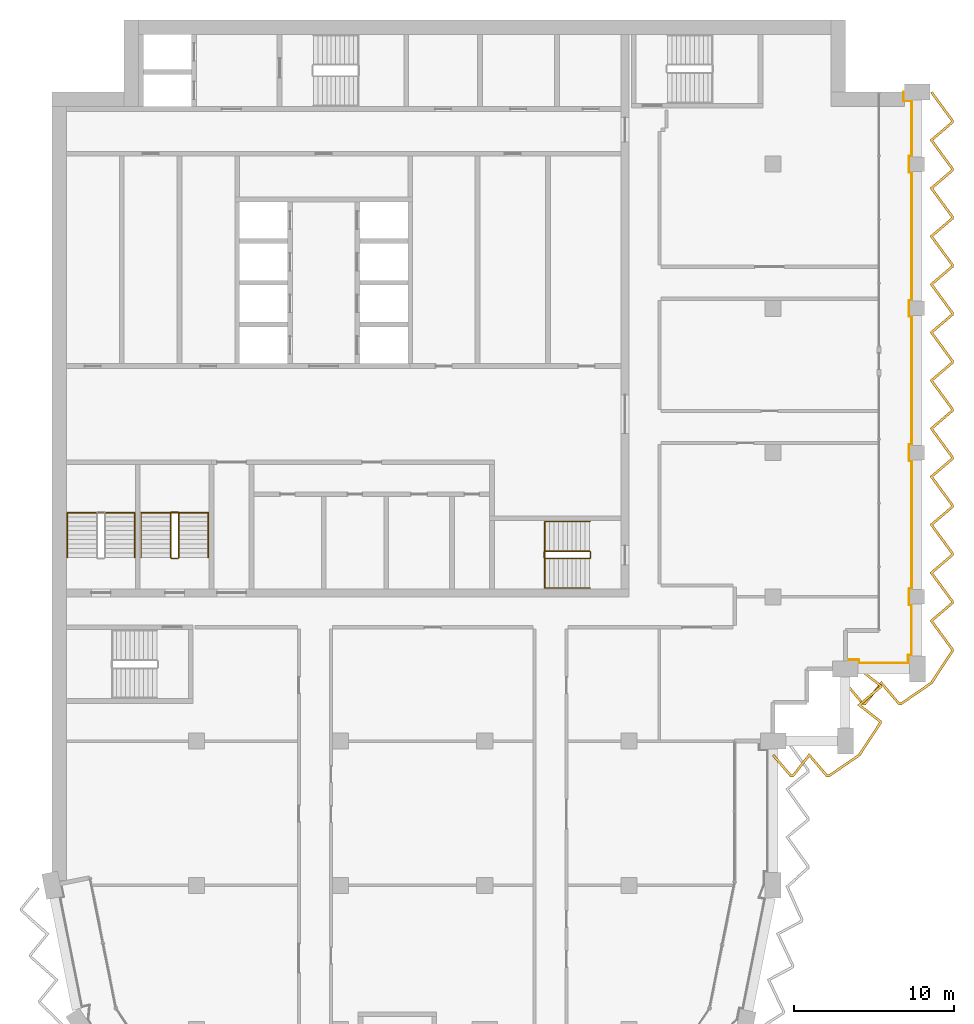
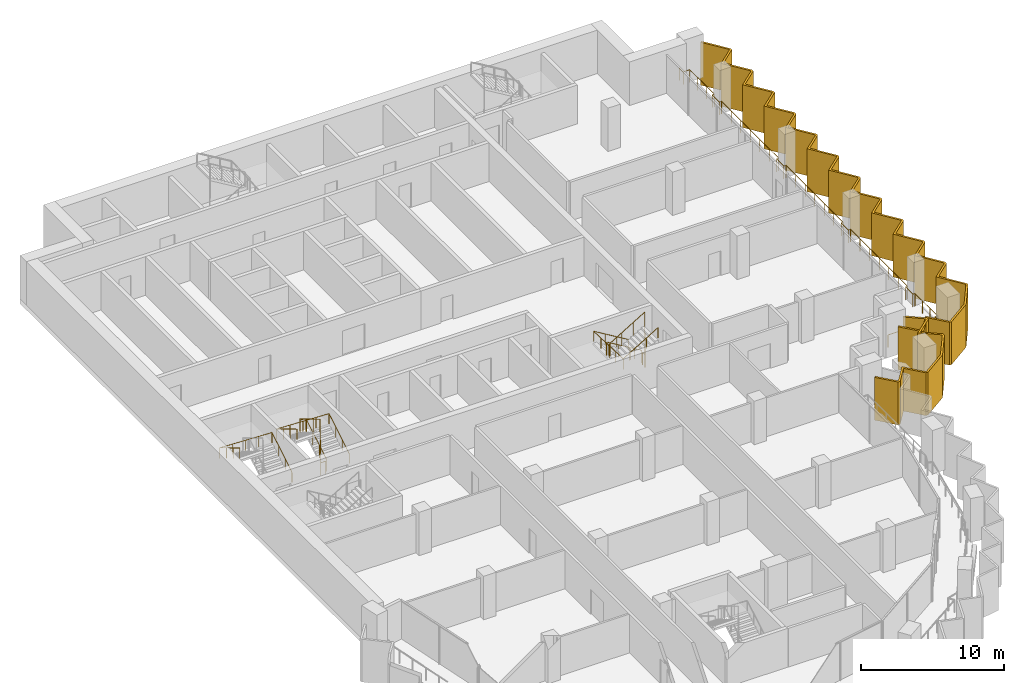
# One storey, part 15 of 16: 6 railings, 2 shading devices.
"""IFC4 building model written with IfcOpenShell, lengths in metres."""

import ifcopenshell
import ifcopenshell.guid

model = None  # the IFC model being written
_history = None  # IfcOwnerHistory: only IFC2X3 demands one
_inside = {}  # id of a spatial element -> (the spatial element, [elements in it])
_under = {}  # id of a project, library or spatial element -> (it, [spatial elements below it])
_declared = {}  # id of a project -> (the project, [libraries it declares])
_typed = {}  # id of a type object -> (the type object, [elements of that type])
_made_of = {}  # id of a material, layer set ... -> (it, [elements and type objects made of it])


def new_model(schema):
    """Start an empty IFC model of exactly this schema.

    Asked for "IFC4X3", IfcOpenShell would pick the latest addendum, in which some entities
    have other attributes; the version numbers below select the first issue.
    IFC2X3 requires an IfcOwnerHistory on every rooted entity: one is made here for all.
    """
    global model, _history
    if schema == "IFC4X3":
        model = ifcopenshell.file(schema_version=(4, 3, 0, 0))
    else:
        model = ifcopenshell.file(schema=schema)
    _inside.clear()
    _under.clear()
    _declared.clear()
    _typed.clear()
    _made_of.clear()
    _history = None
    if model.schema == "IFC2X3":
        org = make("IfcOrganization", Name="unknown")
        user = make(
            "IfcPersonAndOrganization",
            ThePerson=make("IfcPerson", FamilyName="unknown"),
            TheOrganization=org,
        )
        app = make(
            "IfcApplication",
            ApplicationDeveloper=org,
            Version="unknown",
            ApplicationFullName="unknown",
            ApplicationIdentifier="unknown",
        )
        _history = make(
            "IfcOwnerHistory",
            OwningUser=user,
            OwningApplication=app,
            ChangeAction="ADDED",
            CreationDate=0,
        )
    return model


def make(cls, **values):
    """One entity of the class cls with the attributes given. An attribute that is None is left unset."""
    return model.create_entity(
        cls, **{name: value for name, value in values.items() if value is not None}
    )


def rooted(cls, **values):
    """An entity with a GlobalId (a new one), such as an element, a storey or a relation."""
    return make(cls, GlobalId=ifcopenshell.guid.new(), OwnerHistory=_history, **values)


def si_unit(unit_type, name, prefix=None):
    """IfcSIUnit, for example si_unit("LENGTHUNIT", "METRE", prefix="MILLI")."""
    return make("IfcSIUnit", UnitType=unit_type, Prefix=prefix, Name=name)


def assignment(units):
    """IfcUnitAssignment: the units of a project."""
    return None if units is None else make("IfcUnitAssignment", Units=units)


def point(xyz):
    """IfcCartesianPoint."""
    return None if xyz is None else make("IfcCartesianPoint", Coordinates=xyz)


def direction(xyz):
    """IfcDirection."""
    return None if xyz is None else make("IfcDirection", DirectionRatios=xyz)


def frame(location, z_axis=None, x_axis=None):
    """IfcAxis2Placement3D, a coordinate frame: its origin and axes. An axis left out is left unset."""
    return make(
        "IfcAxis2Placement3D",
        Location=point(location),
        Axis=direction(z_axis),
        RefDirection=direction(x_axis),
    )


def frame_2d(location, x_axis=None):
    """IfcAxis2Placement2D, a coordinate frame in the plane: its origin and x axis."""
    return make(
        "IfcAxis2Placement2D", Location=point(location), RefDirection=direction(x_axis)
    )


def origin():
    """The frame at (0, 0, 0) with its axes left unset."""
    return frame((0.0, 0.0, 0.0))


def origin_2d():
    """The frame at (0, 0) in the plane with its x axis left unset."""
    return frame_2d((0.0, 0.0))


def place(relative_to, where):
    """IfcLocalPlacement: puts the frame where relative to a parent placement (None: the world)."""
    return make(
        "IfcLocalPlacement", PlacementRelTo=relative_to, RelativePlacement=where
    )


def context(
    kind, dimensions, precision=None, world=None, true_north=None, identifier=None
):
    """IfcGeometricRepresentationContext, for example the 3D "Model" context."""
    return make(
        "IfcGeometricRepresentationContext",
        ContextIdentifier=identifier,
        ContextType=kind,
        CoordinateSpaceDimension=dimensions,
        Precision=precision,
        WorldCoordinateSystem=world,
        TrueNorth=true_north,
    )


def subcontext(parent, identifier, kind, view, scale=None):
    """IfcGeometricRepresentationSubContext, for example "Body" below "Model"."""
    return make(
        "IfcGeometricRepresentationSubContext",
        ContextIdentifier=identifier,
        ContextType=kind,
        ParentContext=parent,
        TargetScale=scale,
        TargetView=view,
    )


def project(units=None, contexts=None):
    """IfcProject with its units and contexts."""
    return rooted(
        "IfcProject",
        Name="project",
        RepresentationContexts=contexts,
        UnitsInContext=assignment(units),
    )


def spatial(cls, under=None, at=None, **own):
    """A site, building, storey or space (cls), placed at a placement, below another one or the project."""
    s = rooted(cls, ObjectPlacement=at, **own)
    if under is not None:
        _under.setdefault(under.id(), (under, []))[1].append(s)
    return s


def polyline(points):
    """IfcPolyline through the points."""
    return make("IfcPolyline", Points=[point(p) for p in points])


def profile(cls, at=None, kind="AREA", **sizes):
    """A parametric profile (cls). Its sizes go by their IFC names, for example OverallWidth=200.0."""
    return make(cls, ProfileType=kind, Position=at, **sizes)


def circle(**sizes):
    """IfcCircleProfileDef."""
    return profile("IfcCircleProfileDef", **sizes)


def outline(outer, holes=None, kind="AREA"):
    """IfcArbitraryClosedProfileDef: a profile drawn as a closed curve; with holes, ...WithVoids."""
    if holes is None:
        return make("IfcArbitraryClosedProfileDef", ProfileType=kind, OuterCurve=outer)
    return make(
        "IfcArbitraryProfileDefWithVoids",
        ProfileType=kind,
        OuterCurve=outer,
        InnerCurves=holes,
    )


def extrude(swept, where, along, depth):
    """IfcExtrudedAreaSolid: the profile swept, set in the frame where, extruded along a direction by depth."""
    return make(
        "IfcExtrudedAreaSolid",
        SweptArea=swept,
        Position=where,
        ExtrudedDirection=direction(along),
        Depth=depth,
    )


def shape(context_of_items, identifier, shape_type, items):
    """IfcShapeRepresentation: the items that make up one representation, for example the "Body"."""
    return make(
        "IfcShapeRepresentation",
        ContextOfItems=context_of_items,
        RepresentationIdentifier=identifier,
        RepresentationType=shape_type,
        Items=items,
    )


def material(Name=None, Category=None):
    """IfcMaterial."""
    return make("IfcMaterial", Name=Name, Category=Category)


def layer(
    of_material, thickness, ventilated=None, Name=None, Category=None, Priority=None
):
    """IfcMaterialLayer: one layer of a wall or slab, of a material (None: an air gap)."""
    return make(
        "IfcMaterialLayer",
        Material=of_material,
        LayerThickness=thickness,
        IsVentilated=ventilated,
        Name=Name,
        Category=Category,
        Priority=Priority,
    )


def layer_set(layers, Name=None):
    """IfcMaterialLayerSet."""
    return make("IfcMaterialLayerSet", MaterialLayers=layers, LayerSetName=Name)


def made_of(thing, what):
    """Note that an element or type object is made of a material, layer set ...; save() writes the relation."""
    if what is not None:
        _made_of.setdefault(what.id(), (what, []))[1].append(thing)
    return thing


def type_object(cls, material=None, **own):
    """A type object (cls), such as IfcWallType, which elements share."""
    return made_of(rooted(cls, **own), material)


def element(
    cls,
    number,
    at=None,
    inside=None,
    cuts=None,
    type_object=None,
    material=None,
    context=None,
    identifier="Body",
    shape_type=None,
    held_by="IfcProductDefinitionShape",
    body=None,
    shapes=None,
    **own,
):
    """One element of the class cls, such as IfcWall. Its Tag is "e" and its number.

    at: its placement. inside: the storey or other place that contains it. cuts: it is an
    opening in that element (IfcRelVoidsElement). A single representation is given by context,
    identifier, shape_type and body (its items); several are given by shapes. held_by: the class
    of the entity that holds the representations. save() writes the other relations.
    """
    e = rooted(cls, Tag="e%d" % number, ObjectPlacement=at, **own)
    if body is not None:
        shapes = [shape(context, identifier, shape_type, body)]
    if shapes is not None:
        e.Representation = make(held_by, Representations=shapes)
    if inside is not None:
        _inside.setdefault(inside.id(), (inside, []))[1].append(e)
    if cuts is not None:
        rooted(
            "IfcRelVoidsElement", RelatingBuildingElement=cuts, RelatedOpeningElement=e
        )
    if type_object is not None:
        _typed.setdefault(type_object.id(), (type_object, []))[1].append(e)
    return made_of(e, material)


def aggregate(whole, parts):
    """IfcRelAggregates: a whole, such as a stair, and the parts it consists of."""
    return rooted("IfcRelAggregates", RelatingObject=whole, RelatedObjects=parts)


def save(model, path):
    """Write the relations noted so far, then the file.

    IfcRelAggregates (storeys below a building ...), IfcRelContainedInSpatialStructure (elements
    in a storey), IfcRelDefinesByType, IfcRelAssociatesMaterial and IfcRelDeclares: one each for
    every whole, place, type object, material and project.
    """
    for whole, parts in _under.values():
        aggregate(whole, parts)
    for where, things in _inside.values():
        rooted(
            "IfcRelContainedInSpatialStructure",
            RelatedElements=things,
            RelatingStructure=where,
        )
    for kind, things in _typed.values():
        rooted("IfcRelDefinesByType", RelatedObjects=things, RelatingType=kind)
    for what, things in _made_of.values():
        rooted("IfcRelAssociatesMaterial", RelatedObjects=things, RelatingMaterial=what)
    for by, libraries in _declared.values():
        rooted("IfcRelDeclares", RelatingContext=by, RelatedDefinitions=libraries)
    model.write(path)


model = new_model("IFC4")

# Units and contexts
model_context = context("Model", 3, precision=1e-05, world=origin(), true_north=direction((0.0, 1.0)))
body_context = subcontext(model_context, "Body", "Model", "MODEL_VIEW")
ifc_project = project(units=[si_unit("LENGTHUNIT", "METRE"), si_unit("AREAUNIT", "SQUARE_METRE"), si_unit("VOLUMEUNIT", "CUBIC_METRE"), si_unit("PLANEANGLEUNIT", "RADIAN"), si_unit("MASSUNIT", "GRAM", prefix="KILO")], contexts=[model_context])

# Site, building, storey
site_placement = place(None, origin())
site = spatial("IfcSite", under=ifc_project, at=site_placement, CompositionType="ELEMENT")
building_placement = place(site_placement, origin())
building = spatial("IfcBuilding", under=site, at=building_placement, Name="Hunhe Ridgeline Campus", CompositionType="ELEMENT")
storey_placement = place(building_placement, frame((0.0, 0.0, 250.300048828125)))
storey = spatial("IfcBuildingStorey", under=building, at=storey_placement, Name="L64", CompositionType="ELEMENT", Elevation=250.300048828125)

# Railing
ifc_material_1 = material(Name="Steel Q355", Category="steel")
railing_type_1 = type_object("IfcRailingType", Name="Loggia guard 1100 Steel Q355", PredefinedType="GUARDRAIL", material=ifc_material_1)
railing_1_placement = place(storey_placement, frame((49.5, 59.070068359375, 0.0)))
element("IfcRailing", 1, at=railing_1_placement, inside=storey, type_object=railing_type_1, Name="Loggia guard 2", PredefinedType="GUARDRAIL", context=body_context, shape_type="SweptSolid", body=[
    extrude(circle(Radius=0.02392578125, at=origin_2d()), frame((0.0, 0.0, 1.076171875), z_axis=(1.0, 0.0, 0.0), x_axis=(0.0, 1.0, 0.0)), (0.0, 0.0, 1.0), 0.85009765625),
    extrude(circle(Radius=0.02392578125, at=origin_2d()), frame((0.85009765625, 0.0, 1.076171875), z_axis=(0.0, -1.0, 0.0), x_axis=(1.0, 0.0, 0.0)), (0.0, 0.0, 1.0), 0.219970703125),
    extrude(circle(Radius=0.02392578125, at=origin_2d()), frame((0.85009765625, -0.219970703125, 1.076171875), z_axis=(1.0, 0.0, 0.0), x_axis=(0.0, 1.0, 0.0)), (0.0, 0.0, 1.0), 3.099853515625),
    extrude(circle(Radius=0.02392578125, at=origin_2d()), frame((3.949951171875, -0.219970703125, 1.076171875), z_axis=(0.0, 1.0, 0.0), x_axis=(-1.0, 0.0, 0.0)), (0.0, 0.0, 1.0), 0.52001953125),
    extrude(circle(Radius=0.02392578125, at=origin_2d()), frame((3.949951171875, 0.300048828125, 1.076171875), z_axis=(-0.066572895244, -0.99778156408, 0.0), x_axis=(0.99778156408, -0.066572895244, 0.0)), (0.0, 0.0, 1.0), 0.30078125),
    extrude(circle(Radius=0.02392578125, at=origin_2d()), frame((3.929931640625, 0.0, 1.076171875), z_axis=(0.0, 1.0, 0.0), x_axis=(-1.0, 0.0, 0.0)), (0.0, 0.0, 1.0), 0.280029296875),
    extrude(circle(Radius=0.02392578125, at=origin_2d()), frame((3.929931640625, 0.280029296875, 1.076171875), z_axis=(1.0, 0.0, 0.0), x_axis=(0.0, 1.0, 0.0)), (0.0, 0.0, 1.0), 0.219970703125),
    extrude(circle(Radius=0.02392578125, at=origin_2d()), frame((4.14990234375, 0.280029296875, 1.076171875), z_axis=(0.0, 1.0, 0.0), x_axis=(-1.0, 0.0, 0.0)), (0.0, 0.0, 1.0), 3.14990234375),
    extrude(circle(Radius=0.02392578125, at=origin_2d()), frame((4.14990234375, 3.429931640625, 1.076171875), z_axis=(-1.0, 0.0, 0.0), x_axis=(0.0, -1.0, 0.0)), (0.0, 0.0, 1.0), 0.169921875),
    extrude(circle(Radius=0.02392578125, at=origin_2d()), frame((3.97998046875, 3.429931640625, 1.076171875), z_axis=(0.0, 1.0, 0.0), x_axis=(-1.0, 0.0, 0.0)), (0.0, 0.0, 1.0), 1.0),
    extrude(circle(Radius=0.02392578125, at=origin_2d()), frame((3.97998046875, 4.429931640625, 1.076171875), z_axis=(1.0, 0.0, 0.0), x_axis=(0.0, 1.0, 0.0)), (0.0, 0.0, 1.0), 0.169921875),
    extrude(circle(Radius=0.02392578125, at=origin_2d()), frame((4.14990234375, 4.429931640625, 1.076171875), z_axis=(0.0, 1.0, 0.0), x_axis=(-1.0, 0.0, 0.0)), (0.0, 0.0, 1.0), 8.0),
    extrude(circle(Radius=0.02392578125, at=origin_2d()), frame((4.14990234375, 12.429931640625, 1.076171875), z_axis=(-1.0, 0.0, 0.0), x_axis=(0.0, -1.0, 0.0)), (0.0, 0.0, 1.0), 0.169921875),
    extrude(circle(Radius=0.02392578125, at=origin_2d()), frame((3.97998046875, 12.429931640625, 1.076171875), z_axis=(0.0, 1.0, 0.0), x_axis=(-1.0, 0.0, 0.0)), (0.0, 0.0, 1.0), 1.0),
    extrude(circle(Radius=0.02392578125, at=origin_2d()), frame((3.97998046875, 13.429931640625, 1.076171875), z_axis=(1.0, 0.0, 0.0), x_axis=(0.0, 1.0, 0.0)), (0.0, 0.0, 1.0), 0.169921875),
    extrude(circle(Radius=0.02392578125, at=origin_2d()), frame((4.14990234375, 13.429931640625, 1.076171875), z_axis=(0.0, 1.0, 0.0), x_axis=(-1.0, 0.0, 0.0)), (0.0, 0.0, 1.0), 8.0),
    extrude(circle(Radius=0.02392578125, at=origin_2d()), frame((4.14990234375, 21.429931640625, 1.076171875), z_axis=(-1.0, 0.0, 0.0), x_axis=(0.0, -1.0, 0.0)), (0.0, 0.0, 1.0), 0.169921875),
    extrude(circle(Radius=0.02392578125, at=origin_2d()), frame((3.97998046875, 21.429931640625, 1.076171875), z_axis=(0.0, 1.0, 0.0), x_axis=(-1.0, 0.0, 0.0)), (0.0, 0.0, 1.0), 1.0),
    extrude(circle(Radius=0.02392578125, at=origin_2d()), frame((3.97998046875, 22.429931640625, 1.076171875), z_axis=(1.0, 0.0, 0.0), x_axis=(0.0, 1.0, 0.0)), (0.0, 0.0, 1.0), 0.169921875),
    extrude(circle(Radius=0.02392578125, at=origin_2d()), frame((4.14990234375, 22.429931640625, 1.076171875), z_axis=(0.0, 1.0, 0.0), x_axis=(-1.0, 0.0, 0.0)), (0.0, 0.0, 1.0), 8.0),
    extrude(circle(Radius=0.02392578125, at=origin_2d()), frame((4.14990234375, 30.429931640625, 1.076171875), z_axis=(-1.0, 0.0, 0.0), x_axis=(0.0, -1.0, 0.0)), (0.0, 0.0, 1.0), 0.169921875),
    extrude(circle(Radius=0.02392578125, at=origin_2d()), frame((3.97998046875, 30.429931640625, 1.076171875), z_axis=(0.0, 1.0, 0.0), x_axis=(-1.0, 0.0, 0.0)), (0.0, 0.0, 1.0), 1.0),
    extrude(circle(Radius=0.02392578125, at=origin_2d()), frame((3.97998046875, 31.429931640625, 1.076171875), z_axis=(1.0, 0.0, 0.0), x_axis=(0.0, 1.0, 0.0)), (0.0, 0.0, 1.0), 0.169921875),
    extrude(circle(Radius=0.02392578125, at=origin_2d()), frame((4.14990234375, 31.429931640625, 1.076171875), z_axis=(0.0, 1.0, 0.0), x_axis=(-1.0, 0.0, 0.0)), (0.0, 0.0, 1.0), 3.449951171875),
    extrude(circle(Radius=0.02392578125, at=origin_2d()), frame((4.14990234375, 34.8798828125, 1.076171875), z_axis=(-1.0, 0.0, 0.0), x_axis=(0.0, -1.0, 0.0)), (0.0, 0.0, 1.0), 0.52001953125),
    extrude(circle(Radius=0.02392578125, at=origin_2d()), frame((3.6298828125, 34.8798828125, 1.076171875), z_axis=(0.0, 1.0, 0.0), x_axis=(-1.0, 0.0, 0.0)), (0.0, 0.0, 1.0), 0.550048828125),
    extrude(circle(Radius=0.02099609375, at=origin_2d()), origin(), (0.0, 0.0, 1.0), 1.052001953125),
    extrude(circle(Radius=0.02099609375, at=origin_2d()), frame((0.85009765625, 0.0, 0.0)), (0.0, 0.0, 1.0), 1.052001953125),
    extrude(circle(Radius=0.02099609375, at=origin_2d()), frame((0.85009765625, -0.219970703125, 0.0)), (0.0, 0.0, 1.0), 1.052001953125),
    extrude(circle(Radius=0.02099609375, at=origin_2d()), frame((1.88330078125, -0.219970703125, 0.0)), (0.0, 0.0, 1.0), 1.052001953125),
    extrude(circle(Radius=0.02099609375, at=origin_2d()), frame((2.916748046875, -0.219970703125, 0.0)), (0.0, 0.0, 1.0), 1.052001953125),
    extrude(circle(Radius=0.02099609375, at=origin_2d()), frame((3.949951171875, -0.219970703125, 0.0)), (0.0, 0.0, 1.0), 1.052001953125),
    extrude(circle(Radius=0.02099609375, at=origin_2d()), frame((3.949951171875, 0.300048828125, 0.0)), (0.0, 0.0, 1.0), 1.052001953125),
    extrude(circle(Radius=0.02099609375, at=origin_2d()), frame((3.929931640625, 0.0, 0.0)), (0.0, 0.0, 1.0), 1.052001953125),
    extrude(circle(Radius=0.02099609375, at=origin_2d()), frame((3.929931640625, 0.280029296875, 0.0)), (0.0, 0.0, 1.0), 1.052001953125),
    extrude(circle(Radius=0.02099609375, at=origin_2d()), frame((4.14990234375, 0.280029296875, 0.0)), (0.0, 0.0, 1.0), 1.052001953125),
    extrude(circle(Radius=0.02099609375, at=origin_2d()), frame((4.14990234375, 1.330078125, 0.0)), (0.0, 0.0, 1.0), 1.052001953125),
    extrude(circle(Radius=0.02099609375, at=origin_2d()), frame((4.14990234375, 2.3798828125, 0.0)), (0.0, 0.0, 1.0), 1.052001953125),
    extrude(circle(Radius=0.02099609375, at=origin_2d()), frame((4.14990234375, 3.429931640625, 0.0)), (0.0, 0.0, 1.0), 1.052001953125),
    extrude(circle(Radius=0.02099609375, at=origin_2d()), frame((3.97998046875, 3.429931640625, 0.0)), (0.0, 0.0, 1.0), 1.052001953125),
    extrude(circle(Radius=0.02099609375, at=origin_2d()), frame((3.97998046875, 4.429931640625, 0.0)), (0.0, 0.0, 1.0), 1.052001953125),
    extrude(circle(Radius=0.02099609375, at=origin_2d()), frame((4.14990234375, 4.429931640625, 0.0)), (0.0, 0.0, 1.0), 1.052001953125),
    extrude(circle(Radius=0.02099609375, at=origin_2d()), frame((4.14990234375, 5.76318359375, 0.0)), (0.0, 0.0, 1.0), 1.052001953125),
    extrude(circle(Radius=0.02099609375, at=origin_2d()), frame((4.14990234375, 7.0966796875, 0.0)), (0.0, 0.0, 1.0), 1.052001953125),
    extrude(circle(Radius=0.02099609375, at=origin_2d()), frame((4.14990234375, 8.429931640625, 0.0)), (0.0, 0.0, 1.0), 1.052001953125),
    extrude(circle(Radius=0.02099609375, at=origin_2d()), frame((4.14990234375, 9.76318359375, 0.0)), (0.0, 0.0, 1.0), 1.052001953125),
    extrude(circle(Radius=0.02099609375, at=origin_2d()), frame((4.14990234375, 11.0966796875, 0.0)), (0.0, 0.0, 1.0), 1.052001953125),
    extrude(circle(Radius=0.02099609375, at=origin_2d()), frame((4.14990234375, 12.429931640625, 0.0)), (0.0, 0.0, 1.0), 1.052001953125),
    extrude(circle(Radius=0.02099609375, at=origin_2d()), frame((3.97998046875, 12.429931640625, 0.0)), (0.0, 0.0, 1.0), 1.052001953125),
    extrude(circle(Radius=0.02099609375, at=origin_2d()), frame((3.97998046875, 13.429931640625, 0.0)), (0.0, 0.0, 1.0), 1.052001953125),
    extrude(circle(Radius=0.02099609375, at=origin_2d()), frame((4.14990234375, 13.429931640625, 0.0)), (0.0, 0.0, 1.0), 1.052001953125),
    extrude(circle(Radius=0.02099609375, at=origin_2d()), frame((4.14990234375, 14.76318359375, 0.0)), (0.0, 0.0, 1.0), 1.052001953125),
    extrude(circle(Radius=0.02099609375, at=origin_2d()), frame((4.14990234375, 16.0966796875, 0.0)), (0.0, 0.0, 1.0), 1.052001953125),
    extrude(circle(Radius=0.02099609375, at=origin_2d()), frame((4.14990234375, 17.429931640625, 0.0)), (0.0, 0.0, 1.0), 1.052001953125),
    extrude(circle(Radius=0.02099609375, at=origin_2d()), frame((4.14990234375, 18.76318359375, 0.0)), (0.0, 0.0, 1.0), 1.052001953125),
    extrude(circle(Radius=0.02099609375, at=origin_2d()), frame((4.14990234375, 20.0966796875, 0.0)), (0.0, 0.0, 1.0), 1.052001953125),
    extrude(circle(Radius=0.02099609375, at=origin_2d()), frame((4.14990234375, 21.429931640625, 0.0)), (0.0, 0.0, 1.0), 1.052001953125),
    extrude(circle(Radius=0.02099609375, at=origin_2d()), frame((3.97998046875, 21.429931640625, 0.0)), (0.0, 0.0, 1.0), 1.052001953125),
    extrude(circle(Radius=0.02099609375, at=origin_2d()), frame((3.97998046875, 22.429931640625, 0.0)), (0.0, 0.0, 1.0), 1.052001953125),
    extrude(circle(Radius=0.02099609375, at=origin_2d()), frame((4.14990234375, 22.429931640625, 0.0)), (0.0, 0.0, 1.0), 1.052001953125),
    extrude(circle(Radius=0.02099609375, at=origin_2d()), frame((4.14990234375, 23.76318359375, 0.0)), (0.0, 0.0, 1.0), 1.052001953125),
    extrude(circle(Radius=0.02099609375, at=origin_2d()), frame((4.14990234375, 25.0966796875, 0.0)), (0.0, 0.0, 1.0), 1.052001953125),
    extrude(circle(Radius=0.02099609375, at=origin_2d()), frame((4.14990234375, 26.429931640625, 0.0)), (0.0, 0.0, 1.0), 1.052001953125),
    extrude(circle(Radius=0.02099609375, at=origin_2d()), frame((4.14990234375, 27.76318359375, 0.0)), (0.0, 0.0, 1.0), 1.052001953125),
    extrude(circle(Radius=0.02099609375, at=origin_2d()), frame((4.14990234375, 29.0966796875, 0.0)), (0.0, 0.0, 1.0), 1.052001953125),
    extrude(circle(Radius=0.02099609375, at=origin_2d()), frame((4.14990234375, 30.429931640625, 0.0)), (0.0, 0.0, 1.0), 1.052001953125),
    extrude(circle(Radius=0.02099609375, at=origin_2d()), frame((3.97998046875, 30.429931640625, 0.0)), (0.0, 0.0, 1.0), 1.052001953125),
    extrude(circle(Radius=0.02099609375, at=origin_2d()), frame((3.97998046875, 31.429931640625, 0.0)), (0.0, 0.0, 1.0), 1.052001953125),
    extrude(circle(Radius=0.02099609375, at=origin_2d()), frame((4.14990234375, 31.429931640625, 0.0)), (0.0, 0.0, 1.0), 1.052001953125),
    extrude(circle(Radius=0.02099609375, at=origin_2d()), frame((4.14990234375, 32.579833984375, 0.0)), (0.0, 0.0, 1.0), 1.052001953125),
    extrude(circle(Radius=0.02099609375, at=origin_2d()), frame((4.14990234375, 33.72998046875, 0.0)), (0.0, 0.0, 1.0), 1.052001953125),
    extrude(circle(Radius=0.02099609375, at=origin_2d()), frame((4.14990234375, 34.8798828125, 0.0)), (0.0, 0.0, 1.0), 1.052001953125),
    extrude(circle(Radius=0.02099609375, at=origin_2d()), frame((3.6298828125, 34.8798828125, 0.0)), (0.0, 0.0, 1.0), 1.052001953125),
    extrude(circle(Radius=0.02099609375, at=origin_2d()), frame((3.6298828125, 35.429931640625, 0.0)), (0.0, 0.0, 1.0), 1.052001953125),
])

# Shading devices
ifc_material_2 = material(Name="Concrete C50", Category="concrete")
ifc_layer = layer(ifc_material_2, 0.14990234375)
ifc_layer_set = layer_set([ifc_layer], Name="Sawtooth concrete fin 150 Concrete C50")
shading_device_type = type_object("IfcShadingDeviceType", Name="Sawtooth concrete fin 150 Concrete C50", PredefinedType="USERDEFINED", material=ifc_layer_set)
shading_device_1_placement = place(storey_placement, frame((0.0, 0.0, -0.949951171875)))
element("IfcShadingDevice", 2, at=shading_device_1_placement, inside=storey, type_object=shading_device_type, Name="Concrete fin screen 2", ObjectType="FIN", PredefinedType="USERDEFINED", context=body_context, shape_type="SweptSolid", body=[
    extrude(outline(polyline([(45.05712890625, 53.173583984375), (44.94287109375, 53.076416015625), (46.07470703125, 51.75), (46.265869140625, 51.75), (47.25244140625, 53.006591796875), (48.32470703125, 51.75), (48.502685546875, 51.75), (50.4296875, 53.071533203125), (51.75, 55.0869140625), (51.75, 55.265869140625), (50.493408203125, 56.25244140625), (51.75, 57.32470703125), (51.75, 57.515869140625), (50.42138671875, 58.55908203125), (50.32861328125, 58.44091796875), (51.60009765625, 57.44287109375), (51.60009765625, 57.393798828125), (50.256591796875, 56.24755859375), (51.60009765625, 55.19287109375), (51.60009765625, 55.131591796875), (50.3203125, 53.178466796875), (48.4560546875, 51.89990234375), (48.393798828125, 51.89990234375), (47.24755859375, 53.243408203125), (46.19287109375, 51.89990234375), (46.143798828125, 51.89990234375), (45.05712890625, 53.173583984375)])), origin(), (0.0, 0.0, 1.0), 3.64990234375),
])
shading_device_2_placement = place(storey_placement, frame((0.0, 0.0, -0.949951171875)))
element("IfcShadingDevice", 3, at=shading_device_2_placement, inside=storey, type_object=shading_device_type, Name="Concrete fin screen 3", ObjectType="FIN", PredefinedType="USERDEFINED", context=body_context, shape_type="SweptSolid", body=[
    extrude(outline(polyline([(49.55712890625, 57.673583984375), (49.44287109375, 57.576416015625), (50.57470703125, 56.25), (50.765869140625, 56.25), (51.75244140625, 57.506591796875), (52.82470703125, 56.25), (53.002685546875, 56.25), (54.9296875, 57.571533203125), (56.25, 59.5869140625), (56.25, 59.75390625), (54.976806640625, 61.48828125), (56.25, 62.57470703125), (56.25, 62.75390625), (54.976806640625, 64.48828125), (56.25, 65.57470703125), (56.25, 65.75390625), (54.976806640625, 67.48828125), (56.25, 68.57470703125), (56.25, 68.75390625), (54.976806640625, 70.48828125), (56.25, 71.57470703125), (56.25, 71.75390625), (54.976806640625, 73.48828125), (56.25, 74.57470703125), (56.25, 74.75390625), (54.976806640625, 76.48828125), (56.25, 77.57470703125), (56.25, 77.75390625), (54.976806640625, 79.48828125), (56.25, 80.57470703125), (56.25, 80.75390625), (54.976806640625, 82.48828125), (56.25, 83.57470703125), (56.25, 83.75390625), (54.976806640625, 85.48828125), (56.25, 86.57470703125), (56.25, 86.75390625), (54.976806640625, 88.48828125), (56.25, 89.57470703125), (56.25, 89.75390625), (54.976806640625, 91.48828125), (56.25, 92.57470703125), (56.25, 92.75390625), (54.935546875, 94.54443359375), (54.814453125, 94.45556640625), (56.10009765625, 92.704833984375), (56.10009765625, 92.643798828125), (54.773193359375, 91.51171875), (56.10009765625, 89.704833984375), (56.10009765625, 89.643798828125), (54.773193359375, 88.51171875), (56.10009765625, 86.704833984375), (56.10009765625, 86.643798828125), (54.773193359375, 85.51171875), (56.10009765625, 83.704833984375), (56.10009765625, 83.643798828125), (54.773193359375, 82.51171875), (56.10009765625, 80.704833984375), (56.10009765625, 80.643798828125), (54.773193359375, 79.51171875), (56.10009765625, 77.704833984375), (56.10009765625, 77.643798828125), (54.773193359375, 76.51171875), (56.10009765625, 74.704833984375), (56.10009765625, 74.643798828125), (54.773193359375, 73.51171875), (56.10009765625, 71.704833984375), (56.10009765625, 71.643798828125), (54.773193359375, 70.51171875), (56.10009765625, 68.704833984375), (56.10009765625, 68.643798828125), (54.773193359375, 67.51171875), (56.10009765625, 65.704833984375), (56.10009765625, 65.643798828125), (54.773193359375, 64.51171875), (56.10009765625, 62.704833984375), (56.10009765625, 62.643798828125), (54.773193359375, 61.51171875), (56.10009765625, 59.704833984375), (56.10009765625, 59.631591796875), (54.8203125, 57.678466796875), (52.9560546875, 56.39990234375), (52.893798828125, 56.39990234375), (51.74755859375, 57.743408203125), (50.69287109375, 56.39990234375), (50.643798828125, 56.39990234375), (49.55712890625, 57.673583984375)])), origin(), (0.0, 0.0, 1.0), 3.64990234375),
])

# Railings
ifc_material_3 = material(Name="Stainless steel balustrade", Category="steel")
railing_type_2 = type_object("IfcRailingType", Name="Stair guard 1100 stainless", PredefinedType="GUARDRAIL", material=ifc_material_3)
railing_2_placement = place(storey_placement, frame((33.550048828125, 65.85009765625, 0.168212890625)))
element("IfcRailing", 4, at=railing_2_placement, inside=storey, type_object=railing_type_2, Name="L64 stair S2 guard", PredefinedType="GUARDRAIL", context=body_context, shape_type="SweptSolid", body=[
    extrude(circle(Radius=0.02392578125, at=origin_2d()), frame((0.0, 0.0, 1.076171875), z_axis=(-0.857275202839, 0.0, 0.514858452973), x_axis=(0.0, -1.0, 0.0)), (0.0, 0.0, 1.0), 3.26611328125),
    extrude(circle(Radius=0.02392578125, at=origin_2d()), frame((-2.800048828125, 0.0, 2.7578125), z_axis=(-0.707106781187, -0.707106781187, 0.0), x_axis=(0.707106781187, -0.707106781187, 0.0)), (0.0, 0.0, 1.0), 0.07080078125),
    extrude(circle(Radius=0.02392578125, at=origin_2d()), frame((-2.85009765625, -0.050048828125, 2.7578125), z_axis=(0.0, -1.0, 0.0), x_axis=(1.0, 0.0, 0.0)), (0.0, 0.0, 1.0), 0.35009765625),
    extrude(circle(Radius=0.02392578125, at=origin_2d()), frame((-2.85009765625, -0.400146484375, 2.7578125), z_axis=(0.274243871929, -0.274243871929, 0.92172696468), x_axis=(0.707106781187, 0.707106781187, 0.0)), (0.0, 0.0, 1.0), 0.1826171875),
    extrude(circle(Radius=0.02392578125, at=origin_2d()), frame((-2.800048828125, -0.4501953125, 2.92578125), z_axis=(0.857242210791, 0.0, 0.514913383045), x_axis=(0.0, 1.0, 0.0)), (0.0, 0.0, 1.0), 3.266357421875),
    extrude(circle(Radius=0.02392578125, at=origin_2d()), frame((0.0, -0.4501953125, 4.60791015625), z_axis=(0.013524414389, 0.013524414389, -0.999817073484), x_axis=(-0.707106781187, 0.707106781187, 0.0)), (0.0, 0.0, 1.0), 3.70068359375),
    extrude(circle(Radius=0.02392578125, at=origin_2d()), frame((0.050048828125, -0.400146484375, 0.90771484375), z_axis=(0.0, 1.0, 0.0), x_axis=(-1.0, 0.0, 0.0)), (0.0, 0.0, 1.0), 0.35009765625),
    extrude(circle(Radius=0.02099609375, at=origin_2d()), origin(), (0.0, 0.0, 1.0), 1.052001953125),
    extrude(circle(Radius=0.02099609375, at=origin_2d()), frame((-0.933349609375, 0.0, 0.560546875)), (0.0, 0.0, 1.0), 1.052001953125),
    extrude(circle(Radius=0.02099609375, at=origin_2d()), frame((-1.86669921875, 0.0, 1.12109375)), (0.0, 0.0, 1.0), 1.052001953125),
    extrude(circle(Radius=0.02099609375, at=origin_2d()), frame((-2.800048828125, 0.0, 1.681640625)), (0.0, 0.0, 1.0), 1.052001953125),
    extrude(circle(Radius=0.02099609375, at=origin_2d()), frame((-2.85009765625, -0.050048828125, 1.681640625)), (0.0, 0.0, 1.0), 1.052001953125),
    extrude(circle(Radius=0.02099609375, at=origin_2d()), frame((-2.85009765625, -0.400146484375, 1.681640625)), (0.0, 0.0, 1.0), 1.052001953125),
    extrude(circle(Radius=0.02099609375, at=origin_2d()), frame((-2.800048828125, -0.4501953125, 1.849853515625)), (0.0, 0.0, 1.0), 1.052001953125),
    extrude(circle(Radius=0.02099609375, at=origin_2d()), frame((-1.86669921875, -0.4501953125, 2.410400390625)), (0.0, 0.0, 1.0), 1.052001953125),
    extrude(circle(Radius=0.02099609375, at=origin_2d()), frame((-0.933349609375, -0.4501953125, 2.97119140625)), (0.0, 0.0, 1.0), 1.052001953125),
    extrude(circle(Radius=0.02099609375, at=origin_2d()), frame((0.0, -0.4501953125, 3.53173828125)), (0.0, 0.0, 1.0), 1.052001953125),
    extrude(circle(Radius=0.02099609375, at=origin_2d()), frame((0.012451171875, -0.437744140625, 2.606689453125)), (0.0, 0.0, 1.0), 1.052001953125),
    extrude(circle(Radius=0.02099609375, at=origin_2d()), frame((0.02490234375, -0.42529296875, 1.681640625)), (0.0, 0.0, 1.0), 1.052001953125),
    extrude(circle(Radius=0.02099609375, at=origin_2d()), frame((0.03759765625, -0.41259765625, 0.7568359375)), (0.0, 0.0, 1.0), 1.052001953125),
    extrude(circle(Radius=0.02099609375, at=origin_2d()), frame((0.050048828125, -0.400146484375, -0.168212890625)), (0.0, 0.0, 1.0), 1.052001953125),
    extrude(circle(Radius=0.02099609375, at=origin_2d()), frame((0.050048828125, -0.050048828125, -0.168212890625)), (0.0, 0.0, 1.0), 1.052001953125),
])
railing_3_placement = place(storey_placement, frame((7.89990234375, 65.449951171875, 0.168212890625)))
element("IfcRailing", 5, at=railing_3_placement, inside=storey, type_object=railing_type_2, Name="L64 stair S4 guard", PredefinedType="GUARDRAIL", context=body_context, shape_type="SweptSolid", body=[
    extrude(circle(Radius=0.02392578125, at=origin_2d()), frame((0.0, 0.0, 1.076171875), z_axis=(0.0, 0.857275202839, 0.514858452973), x_axis=(-1.0, 0.0, 0.0)), (0.0, 0.0, 1.0), 3.26611328125),
    extrude(circle(Radius=0.02392578125, at=origin_2d()), frame((0.0, 2.800048828125, 2.7578125), z_axis=(-0.705375805398, 0.708833529934, 0.0), x_axis=(-0.708833529934, -0.705375805398, 0.0)), (0.0, 0.0, 1.0), 0.070556640625),
    extrude(circle(Radius=0.02392578125, at=origin_2d()), frame((-0.0498046875, 2.85009765625, 2.7578125), z_axis=(-1.0, 0.0, 0.0), x_axis=(0.0, -1.0, 0.0)), (0.0, 0.0, 1.0), 0.400146484375),
    extrude(circle(Radius=0.02392578125, at=origin_2d()), frame((-0.449951171875, 2.85009765625, 2.7578125), z_axis=(-0.274243871929, -0.274243871929, 0.92172696468), x_axis=(0.707106781187, -0.707106781187, 0.0)), (0.0, 0.0, 1.0), 0.1826171875),
    extrude(circle(Radius=0.02392578125, at=origin_2d()), frame((-0.5, 2.800048828125, 2.92578125), z_axis=(0.0, -0.857242210791, 0.514913383045), x_axis=(1.0, 0.0, 0.0)), (0.0, 0.0, 1.0), 3.266357421875),
    extrude(circle(Radius=0.02392578125, at=origin_2d()), frame((-0.5, 0.0, 4.60791015625), z_axis=(0.013524414389, -0.013524414389, -0.999817073484), x_axis=(0.707106781187, 0.707106781187, 0.0)), (0.0, 0.0, 1.0), 3.70068359375),
    extrude(circle(Radius=0.02392578125, at=origin_2d()), frame((-0.449951171875, -0.050048828125, 0.90771484375), z_axis=(1.0, 0.0, 0.0), x_axis=(0.0, 1.0, 0.0)), (0.0, 0.0, 1.0), 0.400146484375),
    extrude(circle(Radius=0.02099609375, at=origin_2d()), origin(), (0.0, 0.0, 1.0), 1.052001953125),
    extrude(circle(Radius=0.02099609375, at=origin_2d()), frame((0.0, 0.933349609375, 0.560546875)), (0.0, 0.0, 1.0), 1.052001953125),
    extrude(circle(Radius=0.02099609375, at=origin_2d()), frame((0.0, 1.86669921875, 1.12109375)), (0.0, 0.0, 1.0), 1.052001953125),
    extrude(circle(Radius=0.02099609375, at=origin_2d()), frame((0.0, 2.800048828125, 1.681640625)), (0.0, 0.0, 1.0), 1.052001953125),
    extrude(circle(Radius=0.02099609375, at=origin_2d()), frame((-0.0498046875, 2.85009765625, 1.681640625)), (0.0, 0.0, 1.0), 1.052001953125),
    extrude(circle(Radius=0.02099609375, at=origin_2d()), frame((-0.449951171875, 2.85009765625, 1.681640625)), (0.0, 0.0, 1.0), 1.052001953125),
    extrude(circle(Radius=0.02099609375, at=origin_2d()), frame((-0.5, 2.800048828125, 1.849853515625)), (0.0, 0.0, 1.0), 1.052001953125),
    extrude(circle(Radius=0.02099609375, at=origin_2d()), frame((-0.5, 1.86669921875, 2.410400390625)), (0.0, 0.0, 1.0), 1.052001953125),
    extrude(circle(Radius=0.02099609375, at=origin_2d()), frame((-0.5, 0.933349609375, 2.97119140625)), (0.0, 0.0, 1.0), 1.052001953125),
    extrude(circle(Radius=0.02099609375, at=origin_2d()), frame((-0.5, 0.0, 3.53173828125)), (0.0, 0.0, 1.0), 1.052001953125),
    extrude(circle(Radius=0.02099609375, at=origin_2d()), frame((-0.487548828125, -0.012451171875, 2.606689453125)), (0.0, 0.0, 1.0), 1.052001953125),
    extrude(circle(Radius=0.02099609375, at=origin_2d()), frame((-0.47509765625, -0.02490234375, 1.681640625)), (0.0, 0.0, 1.0), 1.052001953125),
    extrude(circle(Radius=0.02099609375, at=origin_2d()), frame((-0.46240234375, -0.03759765625, 0.7568359375)), (0.0, 0.0, 1.0), 1.052001953125),
    extrude(circle(Radius=0.02099609375, at=origin_2d()), frame((-0.449951171875, -0.050048828125, -0.168212890625)), (0.0, 0.0, 1.0), 1.052001953125),
    extrude(circle(Radius=0.02099609375, at=origin_2d()), frame((-0.0498046875, -0.050048828125, -0.168212890625)), (0.0, 0.0, 1.0), 1.052001953125),
])
ifc_material_4 = material(Name="Stainless steel handrail", Category="steel")
railing_type_3 = type_object("IfcRailingType", Name="Stair handrail 900 stainless", PredefinedType="HANDRAIL", material=ifc_material_4)
railing_4_placement = place(storey_placement, frame((33.550048828125, 67.699951171875, 0.168212890625)))
element("IfcRailing", 6, at=railing_4_placement, inside=storey, type_object=railing_type_3, Name="L64 stair S2 handrail", PredefinedType="HANDRAIL", context=body_context, shape_type="SweptSolid", body=[
    extrude(circle(Radius=0.02392578125, at=origin_2d()), frame((0.0, 0.0, 0.8759765625), z_axis=(-0.857275202839, 0.0, 0.514858452973), x_axis=(0.0, -1.0, 0.0)), (0.0, 0.0, 1.0), 3.26611328125),
    extrude(circle(Radius=0.02392578125, at=origin_2d()), frame((-2.800048828125, 0.0, 2.5576171875), z_axis=(0.0, -0.99917950104, 0.040500922239), x_axis=(1.0, 0.0, 0.0)), (0.0, 0.0, 1.0), 4.1533203125),
    extrude(circle(Radius=0.02392578125, at=origin_2d()), frame((-2.800048828125, -4.14990234375, 2.7255859375), z_axis=(0.857242210791, 0.0, 0.514913383045), x_axis=(0.0, 1.0, 0.0)), (0.0, 0.0, 1.0), 3.266357421875),
    extrude(circle(Radius=0.02099609375, at=origin_2d()), origin(), (0.0, 0.0, 1.0), 0.851806640625),
    extrude(circle(Radius=0.02099609375, at=origin_2d()), frame((-0.933349609375, 0.0, 0.560546875)), (0.0, 0.0, 1.0), 0.851806640625),
    extrude(circle(Radius=0.02099609375, at=origin_2d()), frame((-1.86669921875, 0.0, 1.12109375)), (0.0, 0.0, 1.0), 0.851806640625),
    extrude(circle(Radius=0.02099609375, at=origin_2d()), frame((-2.800048828125, 0.0, 1.681640625)), (0.0, 0.0, 1.0), 0.851806640625),
    extrude(circle(Radius=0.02099609375, at=origin_2d()), frame((-2.800048828125, -1.03759765625, 1.7236328125)), (0.0, 0.0, 1.0), 0.851806640625),
    extrude(circle(Radius=0.02099609375, at=origin_2d()), frame((-2.800048828125, -2.074951171875, 1.765625)), (0.0, 0.0, 1.0), 0.851806640625),
    extrude(circle(Radius=0.02099609375, at=origin_2d()), frame((-2.800048828125, -3.1123046875, 1.807861328125)), (0.0, 0.0, 1.0), 0.851806640625),
    extrude(circle(Radius=0.02099609375, at=origin_2d()), frame((-2.800048828125, -4.14990234375, 1.849853515625)), (0.0, 0.0, 1.0), 0.851806640625),
    extrude(circle(Radius=0.02099609375, at=origin_2d()), frame((-1.86669921875, -4.14990234375, 2.410400390625)), (0.0, 0.0, 1.0), 0.851806640625),
    extrude(circle(Radius=0.02099609375, at=origin_2d()), frame((-0.933349609375, -4.14990234375, 2.97119140625)), (0.0, 0.0, 1.0), 0.851806640625),
    extrude(circle(Radius=0.02099609375, at=origin_2d()), frame((0.0, -4.14990234375, 3.53173828125)), (0.0, 0.0, 1.0), 0.851806640625),
])
railing_5_placement = place(storey_placement, frame((5.14990234375, 65.449951171875, 0.168212890625)))
element("IfcRailing", 7, at=railing_5_placement, inside=storey, type_object=railing_type_3, Name="L64 stair S3 handrail", PredefinedType="HANDRAIL", context=body_context, shape_type="SweptSolid", body=[
    extrude(circle(Radius=0.02392578125, at=origin_2d()), frame((0.0, 0.0, 0.8759765625), z_axis=(0.0, 0.857275202839, 0.514858452973), x_axis=(-1.0, 0.0, 0.0)), (0.0, 0.0, 1.0), 3.26611328125),
    extrude(circle(Radius=0.02392578125, at=origin_2d()), frame((0.0, 2.800048828125, 2.5576171875), z_axis=(-0.999198916169, 0.0, 0.040019069537), x_axis=(0.0, -1.0, 0.0)), (0.0, 0.0, 1.0), 4.203369140625),
    extrude(circle(Radius=0.02392578125, at=origin_2d()), frame((-4.199951171875, 2.800048828125, 2.7255859375), z_axis=(0.0, -0.857242210791, 0.514913383045), x_axis=(1.0, 0.0, 0.0)), (0.0, 0.0, 1.0), 3.266357421875),
    extrude(circle(Radius=0.02099609375, at=origin_2d()), origin(), (0.0, 0.0, 1.0), 0.851806640625),
    extrude(circle(Radius=0.02099609375, at=origin_2d()), frame((0.0, 0.933349609375, 0.560546875)), (0.0, 0.0, 1.0), 0.851806640625),
    extrude(circle(Radius=0.02099609375, at=origin_2d()), frame((0.0, 1.86669921875, 1.12109375)), (0.0, 0.0, 1.0), 0.851806640625),
    extrude(circle(Radius=0.02099609375, at=origin_2d()), frame((0.0, 2.800048828125, 1.681640625)), (0.0, 0.0, 1.0), 0.851806640625),
    extrude(circle(Radius=0.02099609375, at=origin_2d()), frame((-1.050048828125, 2.800048828125, 1.7236328125)), (0.0, 0.0, 1.0), 0.851806640625),
    extrude(circle(Radius=0.02099609375, at=origin_2d()), frame((-2.10009765625, 2.800048828125, 1.765625)), (0.0, 0.0, 1.0), 0.851806640625),
    extrude(circle(Radius=0.02099609375, at=origin_2d()), frame((-3.14990234375, 2.800048828125, 1.807861328125)), (0.0, 0.0, 1.0), 0.851806640625),
    extrude(circle(Radius=0.02099609375, at=origin_2d()), frame((-4.199951171875, 2.800048828125, 1.849853515625)), (0.0, 0.0, 1.0), 0.851806640625),
    extrude(circle(Radius=0.02099609375, at=origin_2d()), frame((-4.199951171875, 1.86669921875, 2.410400390625)), (0.0, 0.0, 1.0), 0.851806640625),
    extrude(circle(Radius=0.02099609375, at=origin_2d()), frame((-4.199951171875, 0.933349609375, 2.97119140625)), (0.0, 0.0, 1.0), 0.851806640625),
    extrude(circle(Radius=0.02099609375, at=origin_2d()), frame((-4.199951171875, 0.0, 3.53173828125)), (0.0, 0.0, 1.0), 0.851806640625),
])
railing_6_placement = place(storey_placement, frame((9.75, 65.449951171875, 0.168212890625)))
element("IfcRailing", 8, at=railing_6_placement, inside=storey, type_object=railing_type_3, Name="L64 stair S4 handrail", PredefinedType="HANDRAIL", context=body_context, shape_type="SweptSolid", body=[
    extrude(circle(Radius=0.02392578125, at=origin_2d()), frame((0.0, 0.0, 0.8759765625), z_axis=(0.0, 0.857275202839, 0.514858452973), x_axis=(-1.0, 0.0, 0.0)), (0.0, 0.0, 1.0), 3.26611328125),
    extrude(circle(Radius=0.02392578125, at=origin_2d()), frame((0.0, 2.800048828125, 2.5576171875), z_axis=(-0.999198916169, 0.0, 0.040019069537), x_axis=(0.0, -1.0, 0.0)), (0.0, 0.0, 1.0), 4.203369140625),
    extrude(circle(Radius=0.02392578125, at=origin_2d()), frame((-4.199951171875, 2.800048828125, 2.7255859375), z_axis=(0.0, -0.857242210791, 0.514913383045), x_axis=(1.0, 0.0, 0.0)), (0.0, 0.0, 1.0), 3.266357421875),
    extrude(circle(Radius=0.02099609375, at=origin_2d()), origin(), (0.0, 0.0, 1.0), 0.851806640625),
    extrude(circle(Radius=0.02099609375, at=origin_2d()), frame((0.0, 0.933349609375, 0.560546875)), (0.0, 0.0, 1.0), 0.851806640625),
    extrude(circle(Radius=0.02099609375, at=origin_2d()), frame((0.0, 1.86669921875, 1.12109375)), (0.0, 0.0, 1.0), 0.851806640625),
    extrude(circle(Radius=0.02099609375, at=origin_2d()), frame((0.0, 2.800048828125, 1.681640625)), (0.0, 0.0, 1.0), 0.851806640625),
    extrude(circle(Radius=0.02099609375, at=origin_2d()), frame((-1.050048828125, 2.800048828125, 1.7236328125)), (0.0, 0.0, 1.0), 0.851806640625),
    extrude(circle(Radius=0.02099609375, at=origin_2d()), frame((-2.10009765625, 2.800048828125, 1.765625)), (0.0, 0.0, 1.0), 0.851806640625),
    extrude(circle(Radius=0.02099609375, at=origin_2d()), frame((-3.14990234375, 2.800048828125, 1.807861328125)), (0.0, 0.0, 1.0), 0.851806640625),
    extrude(circle(Radius=0.02099609375, at=origin_2d()), frame((-4.199951171875, 2.800048828125, 1.849853515625)), (0.0, 0.0, 1.0), 0.851806640625),
    extrude(circle(Radius=0.02099609375, at=origin_2d()), frame((-4.199951171875, 1.86669921875, 2.410400390625)), (0.0, 0.0, 1.0), 0.851806640625),
    extrude(circle(Radius=0.02099609375, at=origin_2d()), frame((-4.199951171875, 0.933349609375, 2.97119140625)), (0.0, 0.0, 1.0), 0.851806640625),
    extrude(circle(Radius=0.02099609375, at=origin_2d()), frame((-4.199951171875, 0.0, 3.53173828125)), (0.0, 0.0, 1.0), 0.851806640625),
])

save(model, "model.ifc")
